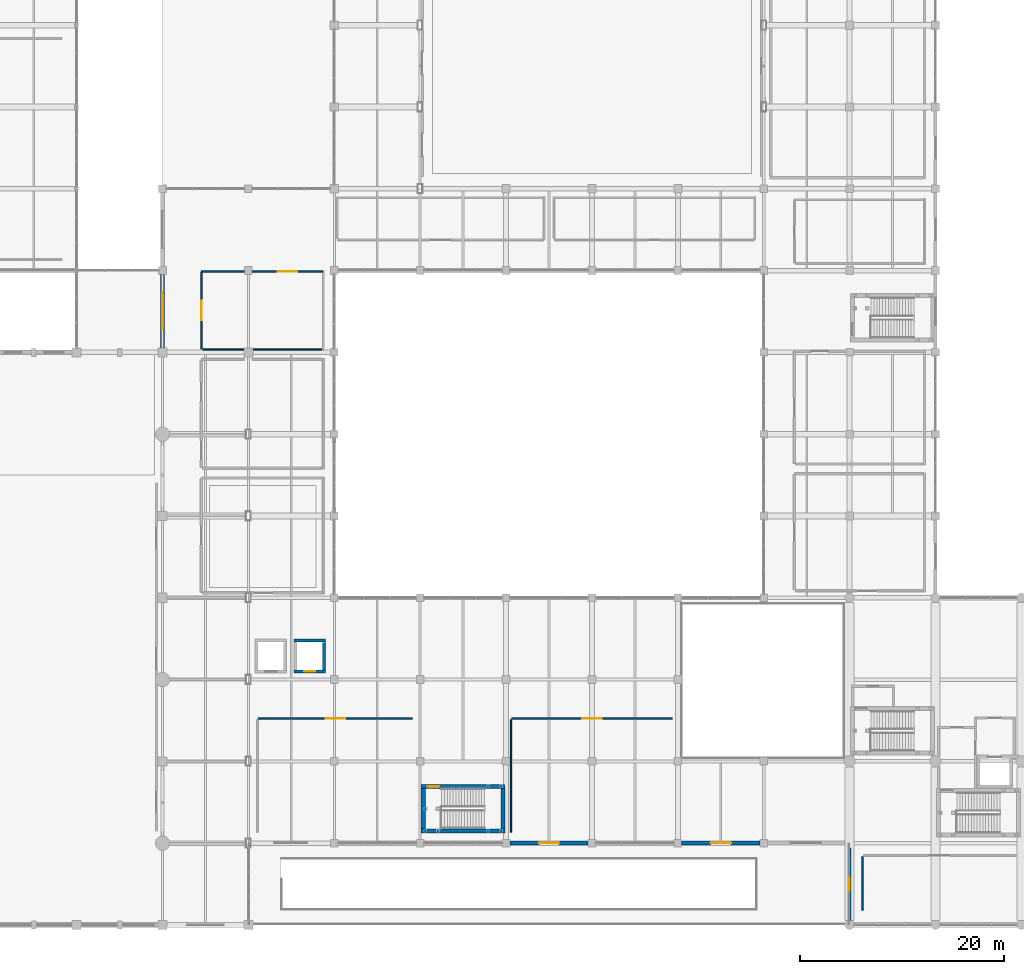
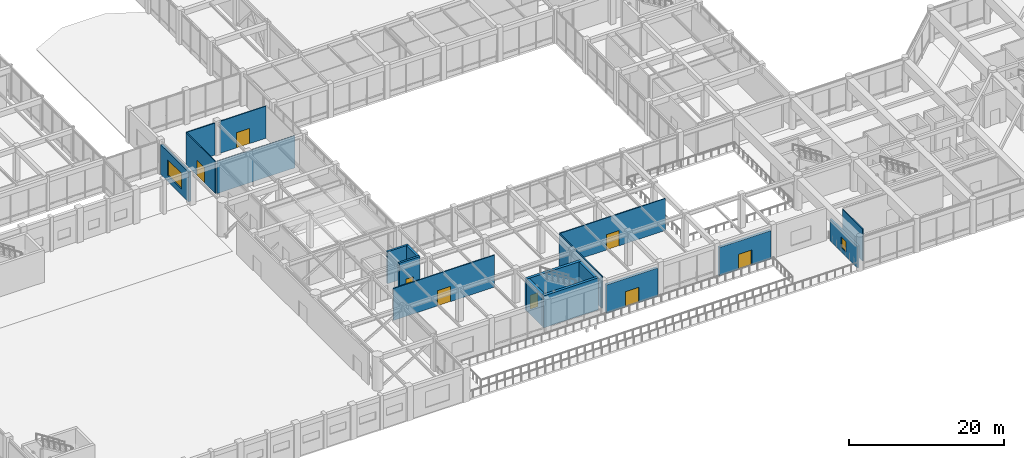
# One storey, part 58 of 79: 19 walls, 8 doors, 2 windows, 10 openings.
"""IFC4 building model written with IfcOpenShell, lengths in metres."""

from ifc_helpers import new_model, si_unit, direction, frame, frame_2d, origin, place, context, subcontext, project, spatial, rectangle, extrude, material, layer, layer_set, type_object, element, fill, save


model = new_model("IFC4")

# Units and contexts
model_context = context("Model", 3, precision=1e-05, world=origin(), true_north=direction((0.0, 1.0)))
body_context = subcontext(model_context, "Body", "Model", "MODEL_VIEW")
ifc_project = project(units=[si_unit("LENGTHUNIT", "METRE"), si_unit("AREAUNIT", "SQUARE_METRE"), si_unit("VOLUMEUNIT", "CUBIC_METRE"), si_unit("PLANEANGLEUNIT", "RADIAN"), si_unit("MASSUNIT", "GRAM", prefix="KILO")], contexts=[model_context])

# Site, building, storey
site_placement = place(None, origin())
site = spatial("IfcSite", under=ifc_project, at=site_placement, CompositionType="ELEMENT")
building_placement = place(site_placement, origin())
building = spatial("IfcBuilding", under=site, at=building_placement, Name="Naruveol Harbour Congress Hotel", CompositionType="ELEMENT")
storey_placement = place(building_placement, frame((0.0, 0.0, 6.0)))
storey = spatial("IfcBuildingStorey", under=building, at=storey_placement, Name="L01", CompositionType="ELEMENT", Elevation=6.0)

# Wall, opening, door
ifc_material_1 = material(Name="Acoustic Double Stud Gypsum", Category="gypsum")
ifc_layer_1 = layer(ifc_material_1, 0.139892578125)
ifc_layer_set_1 = layer_set([ifc_layer_1], Name="Acoustic Double Stud Gypsum")
wall_type_1 = type_object("IfcWallType", Name="ACOUSTIC MEETING PARTITION WALL 140", PredefinedType="PARTITIONING", material=ifc_layer_set_1)
wall_1_placement = place(storey_placement, frame((59.760009765625, 20.199951171875, 0.0), z_axis=(0.0, 0.0, 1.0), x_axis=(1.0, 0.0, 0.0)))
wall_1 = element("IfcWall", 1, at=wall_1_placement, inside=storey, type_object=wall_type_1, Name="Atrium Dining Restaurant north entry wall PW-140", PredefinedType="PARTITIONING", context=body_context, shape_type="SweptSolid", body=[
    extrude(rectangle(XDim=15.080078125, YDim=0.139892578125, at=frame_2d((7.5400390625, 0.0))), origin(), (0.0, 0.0, 1.0), 5.044921875),
])
opening_1_placement = place(wall_1_placement, frame((6.590087890625, 0.0, 0.0)))
opening_1 = element("IfcOpeningElement", 2, at=opening_1_placement, cuts=wall_1, Name="Opening ID-LG-42", PredefinedType="OPENING", context=body_context, shape_type="SweptSolid", body=[
    extrude(rectangle(XDim=1.89990234375, YDim=2.39990234375, at=frame_2d((0.949951171875, 1.199951171875))), frame((0.0, 0.079833984375, 0.0), z_axis=(0.0, -1.0, 0.0), x_axis=(1.0, 0.0, 0.0)), (0.0, 0.0, 1.0), 0.159912109375),
])
ifc_material_2 = material(Name="Timber & Steel Acoustic Leaf", Category="steel")
door_type_1 = type_object("IfcDoorType", Name="RESTAURANT AND LOUNGE GLAZED DOOR 1900X2400", OperationType="DOUBLE_DOOR_SINGLE_SWING", PredefinedType="DOOR", material=ifc_material_2)
door_1_placement = place(opening_1_placement, origin())
door_1 = element("IfcDoor", 3, at=door_1_placement, inside=storey, type_object=door_type_1, Name="Atrium Dining Restaurant Entrance Door", OperationType="DOUBLE_DOOR_SINGLE_SWING", OverallHeight=2.39990234375, OverallWidth=1.89990234375, PredefinedType="DOOR", context=body_context, shape_type="SweptSolid", body=[
    extrude(rectangle(XDim=1.89990234375, YDim=2.39990234375, at=frame_2d((0.949951171875, 1.199951171875))), frame((0.0, 0.02490234375, 0.0), z_axis=(0.0, -1.0, 0.0), x_axis=(1.0, 0.0, 0.0)), (0.0, 0.0, 1.0), 0.050048828125),
])
fill(opening_1, door_1)

wall_2_placement = place(storey_placement, frame((84.56005859375, 20.199951171875, 0.0), z_axis=(0.0, 0.0, 1.0), x_axis=(1.0, 0.0, 0.0)))
wall_2 = element("IfcWall", 4, at=wall_2_placement, inside=storey, type_object=wall_type_1, Name="Harbour Terrace Bistro north entry wall PW-140", PredefinedType="PARTITIONING", context=body_context, shape_type="SweptSolid", body=[
    extrude(rectangle(XDim=15.679931640625, YDim=0.139892578125, at=frame_2d((7.83984375, 0.0))), origin(), (0.0, 0.0, 1.0), 5.044921875),
])
opening_2_placement = place(wall_2_placement, frame((6.889892578125, 0.0, 0.0)))
opening_2 = element("IfcOpeningElement", 5, at=opening_2_placement, cuts=wall_2, Name="Opening ID-LG-43", PredefinedType="OPENING", context=body_context, shape_type="SweptSolid", body=[
    extrude(rectangle(XDim=1.89990234375, YDim=2.39990234375, at=frame_2d((0.949951171875, 1.199951171875))), frame((0.0, 0.079833984375, 0.0), z_axis=(0.0, -1.0, 0.0), x_axis=(1.0, 0.0, 0.0)), (0.0, 0.0, 1.0), 0.159912109375),
])
door_2_placement = place(opening_2_placement, origin())
door_2 = element("IfcDoor", 6, at=door_2_placement, inside=storey, type_object=door_type_1, Name="Harbour Terrace Bistro Entrance Door", OperationType="DOUBLE_DOOR_SINGLE_SWING", OverallHeight=2.39990234375, OverallWidth=1.89990234375, PredefinedType="DOOR", context=body_context, shape_type="SweptSolid", body=[
    extrude(rectangle(XDim=1.89990234375, YDim=2.39990234375, at=frame_2d((0.949951171875, 1.199951171875))), frame((0.0, 0.02490234375, 0.0), z_axis=(0.0, -1.0, 0.0), x_axis=(1.0, 0.0, 0.0)), (0.0, 0.0, 1.0), 0.050048828125),
])
fill(opening_2, door_2)

# Wall
wall_3_placement = place(storey_placement, frame((84.47998046875, 9.050048828125, 0.0), z_axis=(0.0, 0.0, 1.0), x_axis=(0.0, 1.0, 0.0)))
element("IfcWall", 7, at=wall_3_placement, inside=storey, type_object=wall_type_1, Name="Harbour Terrace Bistro west partition PW-140", PredefinedType="PARTITIONING", context=body_context, shape_type="SweptSolid", body=[
    extrude(rectangle(XDim=11.010009765625, YDim=0.139892578125, at=frame_2d((5.5048828125, 0.0))), origin(), (0.0, 0.0, 1.0), 5.044921875),
])

# Wall, opening, door
wall_4_placement = place(storey_placement, frame((54.199951171875, 56.360107421875, 0.0), z_axis=(0.0, 0.0, 1.0), x_axis=(0.0, 1.0, 0.0)))
wall_4 = element("IfcWall", 8, at=wall_4_placement, inside=storey, type_object=wall_type_1, Name="Breakout Salon 103 west entry wall PW-140", PredefinedType="PARTITIONING", context=body_context, shape_type="SweptSolid", body=[
    extrude(rectangle(XDim=7.47998046875, YDim=0.139892578125, at=frame_2d((3.739990234375, 0.0))), origin(), (0.0, 0.0, 1.0), 5.044921875),
])
opening_3_placement = place(wall_4_placement, frame((2.7900390625, 0.0, 0.0)))
opening_3 = element("IfcOpeningElement", 9, at=opening_3_placement, cuts=wall_4, Name="Opening ID-LG-46", PredefinedType="OPENING", context=body_context, shape_type="SweptSolid", body=[
    extrude(rectangle(XDim=1.89990234375, YDim=2.39990234375, at=frame_2d((0.949951171875, 1.199951171875))), frame((0.0, 0.079833984375, 0.0), z_axis=(0.0, -1.0, 0.0), x_axis=(1.0, 0.0, 0.0)), (0.0, 0.0, 1.0), 0.159912109375),
])
door_3_placement = place(opening_3_placement, origin())
door_3 = element("IfcDoor", 10, at=door_3_placement, inside=storey, type_object=door_type_1, Name="Breakout Salon 103 Entrance Door", OperationType="DOUBLE_DOOR_SINGLE_SWING", OverallHeight=2.39990234375, OverallWidth=1.89990234375, PredefinedType="DOOR", context=body_context, shape_type="SweptSolid", body=[
    extrude(rectangle(XDim=1.89990234375, YDim=2.39990234375, at=frame_2d((0.949951171875, 1.199951171875))), frame((0.0, 0.02490234375, 0.0), z_axis=(0.0, -1.0, 0.0), x_axis=(1.0, 0.0, 0.0)), (0.0, 0.0, 1.0), 0.050048828125),
])
fill(opening_3, door_3)

# Walls
wall_5_placement = place(storey_placement, frame((54.340087890625, 56.280029296875, 0.0), z_axis=(0.0, 0.0, 1.0), x_axis=(1.0, 0.0, 0.0)))
element("IfcWall", 11, at=wall_5_placement, inside=storey, type_object=wall_type_1, Name="Breakout Salon 103 south partition PW-140", PredefinedType="PARTITIONING", context=body_context, shape_type="SweptSolid", body=[
    extrude(rectangle(XDim=11.60986328125, YDim=0.139892578125, at=frame_2d((5.804931640625, 0.0))), origin(), (0.0, 0.0, 1.0), 5.044921875),
])
wall_6_placement = place(storey_placement, frame((118.8798828125, 1.449951171875, 0.0), z_axis=(0.0, 0.0, 1.0), x_axis=(0.0, 1.0, 0.0)))
element("IfcWall", 12, at=wall_6_placement, inside=storey, type_object=wall_type_1, Name="All-Day Harbour Dining Room west partition PW-140", PredefinedType="PARTITIONING", context=body_context, shape_type="SweptSolid", body=[
    extrude(rectangle(XDim=5.2099609375, YDim=0.139892578125, at=frame_2d((2.60498046875, 0.0))), origin(), (0.0, 0.0, 1.0), 5.044921875),
])
wall_7_placement = place(storey_placement, frame((54.2119140625, 63.919921875, 0.0), z_axis=(0.0, 0.0, 1.0), x_axis=(1.0, 0.0, 0.0)))
element("IfcWall", 13, at=wall_7_placement, inside=storey, type_object=wall_type_1, Name="Breakout Salon 103 north enclosure partition PW-140", PredefinedType="PARTITIONING", context=body_context, shape_type="SweptSolid", body=[
    extrude(rectangle(XDim=4.213134765625, YDim=0.139892578125, at=frame_2d((2.1064453125, 0.0))), origin(), (0.0, 0.0, 1.0), 5.044921875),
])

# Wall, opening, door
wall_8_placement = place(storey_placement, frame((59.175048828125, 63.919921875, 0.0), z_axis=(0.0, 0.0, 1.0), x_axis=(1.0, 0.0, 0.0)))
wall_8 = element("IfcWall", 14, at=wall_8_placement, inside=storey, type_object=wall_type_1, Name="Breakout Salon 103 north enclosure partition PW-140", PredefinedType="PARTITIONING", context=body_context, shape_type="SweptSolid", body=[
    extrude(rectangle(XDim=6.875, YDim=0.139892578125, at=frame_2d((3.4375, 0.0))), origin(), (0.0, 0.0, 1.0), 5.044921875),
])
opening_4_placement = place(wall_8_placement, frame((2.5, 0.0, 0.0)))
opening_4 = element("IfcOpeningElement", 15, at=opening_4_placement, cuts=wall_8, Name="Opening ID-LG-46B", PredefinedType="OPENING", context=body_context, shape_type="SweptSolid", body=[
    extrude(rectangle(XDim=1.89990234375, YDim=2.39990234375, at=frame_2d((0.949951171875, 1.199951171875))), frame((0.0, 0.079833984375, 0.0), z_axis=(0.0, -1.0, 0.0), x_axis=(1.0, 0.0, 0.0)), (0.0, 0.0, 1.0), 0.159912109375),
])
door_4_placement = place(opening_4_placement, origin())
door_4 = element("IfcDoor", 16, at=door_4_placement, inside=storey, type_object=door_type_1, Name="Breakout Salon 103 Second Exit Door", OperationType="DOUBLE_DOOR_SINGLE_SWING", OverallHeight=2.39990234375, OverallWidth=1.89990234375, PredefinedType="DOOR", context=body_context, shape_type="SweptSolid", body=[
    extrude(rectangle(XDim=1.89990234375, YDim=2.39990234375, at=frame_2d((0.949951171875, 1.199951171875))), frame((0.0, 0.02490234375, 0.0), z_axis=(0.0, -1.0, 0.0), x_axis=(1.0, 0.0, 0.0)), (0.0, 0.0, 1.0), 0.050048828125),
])
fill(opening_4, door_4)

# Wall, opening, window
ifc_material_3 = material(Name="Precast concrete C40/50", Category="concrete")
ifc_layer_2 = layer(ifc_material_3, 0.280029296875)
ifc_layer_set_2 = layer_set([ifc_layer_2], Name="Precast concrete C40/50")
wall_type_2 = type_object("IfcWallType", Name="ARCHITECTURAL PRECAST FACADE WALL 280", PredefinedType="SOLIDWALL", material=ifc_layer_set_2)
wall_9_placement = place(storey_placement, frame((117.60009765625, 0.449951171875, 0.0), z_axis=(0.0, 0.0, 1.0), x_axis=(0.0, 1.0, 0.0)))
wall_9 = element("IfcWall", 17, at=wall_9_placement, inside=storey, type_object=wall_type_2, Name="Hotel west gable wall L01 EW-280", PredefinedType="SOLIDWALL", context=body_context, shape_type="SweptSolid", body=[
    extrude(rectangle(XDim=7.070068359375, YDim=0.280029296875, at=frame_2d((3.53515625, 0.0))), origin(), (0.0, 0.0, 1.0), 3.449951171875),
])
opening_5_placement = place(wall_9_placement, frame((2.885009765625, 0.0, 0.75)))
opening_5 = element("IfcOpeningElement", 18, at=opening_5_placement, cuts=wall_9, Name="Opening W-27", PredefinedType="OPENING", context=body_context, shape_type="SweptSolid", body=[
    extrude(rectangle(XDim=1.300048828125, YDim=1.64990234375, at=frame_2d((0.64990234375, 0.824951171875))), frame((0.0, 0.14990234375, 0.0), z_axis=(0.0, -1.0, 0.0), x_axis=(1.0, 0.0, 0.0)), (0.0, 0.0, 1.0), 0.300048828125),
])
ifc_material_4 = material(Name="Low-E Triple Glazing in Thermal Aluminium", Category="aluminium")
window_type_1 = type_object("IfcWindowType", Name="READING SALON TALL WINDOW 1300X1650", PartitioningType="SINGLE_PANEL", PredefinedType="WINDOW", material=ifc_material_4)
window_1_placement = place(opening_5_placement, origin())
window_1 = element("IfcWindow", 19, at=window_1_placement, inside=storey, type_object=window_type_1, Name="Window W-27 #183", OverallHeight=1.64990234375, OverallWidth=1.300048828125, PartitioningType="SINGLE_PANEL", PredefinedType="WINDOW", context=body_context, shape_type="SweptSolid", body=[
    extrude(rectangle(XDim=1.300048828125, YDim=1.64990234375, at=frame_2d((0.64990234375, 0.824951171875))), frame((0.0, 0.030029296875, 0.0), z_axis=(0.0, -1.0, 0.0), x_axis=(1.0, 0.0, 0.0)), (0.0, 0.0, 1.0), 0.06005859375),
])
fill(opening_5, window_1)

# Wall, opening, door
ifc_material_5 = material(Name="Concrete C40/50", Category="concrete")
ifc_layer_3 = layer(ifc_material_5, 0.3798828125)
ifc_layer_set_3 = layer_set([ifc_layer_3], Name="Concrete C40/50")
wall_type_3 = type_object("IfcWallType", Name="INSULATED GRANITE FACADE WALL 380", PredefinedType="SOLIDWALL", material=ifc_layer_set_3)
wall_10_placement = place(storey_placement, frame((108.824951171875, 8.0, 0.0), z_axis=(0.0, 0.0, 1.0), x_axis=(-1.0, 0.0, 0.0)))
wall_10 = element("IfcWall", 20, at=wall_10_placement, inside=storey, type_object=wall_type_3, Name="Courtyard wing south facade EW-380", PredefinedType="SOLIDWALL", context=body_context, shape_type="SweptSolid", body=[
    extrude(rectangle(XDim=7.64990234375, YDim=0.3798828125, at=frame_2d((3.824951171875, 0.0))), origin(), (0.0, 0.0, 1.0), 4.449951171875),
])
opening_6_placement = place(wall_10_placement, frame((2.824951171875, 0.0, 0.0)))
opening_6 = element("IfcOpeningElement", 21, at=opening_6_placement, cuts=wall_10, Name="Opening ED-DK2", PredefinedType="OPENING", context=body_context, shape_type="SweptSolid", body=[
    extrude(rectangle(XDim=2.0, YDim=2.39990234375, at=frame_2d((1.0, 1.199951171875))), frame((0.0, 0.199951171875, 0.0), z_axis=(0.0, -1.0, 0.0), x_axis=(1.0, 0.0, 0.0)), (0.0, 0.0, 1.0), 0.39990234375),
])
ifc_material_6 = material(Name="Powder-Coated Steel & Insulated Glazing", Category="steel")
door_type_2 = type_object("IfcDoorType", Name="PROMENADE DECK DOUBLE DOOR 2000X2400", OperationType="DOUBLE_DOOR_SINGLE_SWING", PredefinedType="DOOR", material=ifc_material_6)
door_5_placement = place(opening_6_placement, origin())
door_5 = element("IfcDoor", 22, at=door_5_placement, inside=storey, type_object=door_type_2, Name="East Promenade Terrace Door ED-DK2", OperationType="DOUBLE_DOOR_SINGLE_SWING", OverallHeight=2.39990234375, OverallWidth=2.0, PredefinedType="DOOR", context=body_context, shape_type="SweptSolid", body=[
    extrude(rectangle(XDim=2.0, YDim=2.39990234375, at=frame_2d((1.0, 1.199951171875))), frame((0.0, 0.02490234375, 0.0), z_axis=(0.0, -1.0, 0.0), x_axis=(1.0, 0.0, 0.0)), (0.0, 0.0, 1.0), 0.050048828125),
])
fill(opening_6, door_5)

wall_11_placement = place(storey_placement, frame((92.02490234375, 8.0, 0.0), z_axis=(0.0, 0.0, 1.0), x_axis=(-1.0, 0.0, 0.0)))
wall_11 = element("IfcWall", 23, at=wall_11_placement, inside=storey, type_object=wall_type_3, Name="Promenade deck portal wall EW-380", PredefinedType="SOLIDWALL", context=body_context, shape_type="SweptSolid", body=[
    extrude(rectangle(XDim=7.64990234375, YDim=0.3798828125, at=frame_2d((3.824951171875, 0.0))), origin(), (0.0, 0.0, 1.0), 4.449951171875),
])
opening_7_placement = place(wall_11_placement, frame((2.824951171875, 0.0, 0.0)))
opening_7 = element("IfcOpeningElement", 24, at=opening_7_placement, cuts=wall_11, Name="Opening ED-DK1", PredefinedType="OPENING", context=body_context, shape_type="SweptSolid", body=[
    extrude(rectangle(XDim=2.0, YDim=2.39990234375, at=frame_2d((1.0, 1.199951171875))), frame((0.0, 0.199951171875, 0.0), z_axis=(0.0, -1.0, 0.0), x_axis=(1.0, 0.0, 0.0)), (0.0, 0.0, 1.0), 0.39990234375),
])
door_6_placement = place(opening_7_placement, origin())
door_6 = element("IfcDoor", 25, at=door_6_placement, inside=storey, type_object=door_type_2, Name="Promenade Deck Access Door ED-DK1", OperationType="DOUBLE_DOOR_SINGLE_SWING", OverallHeight=2.39990234375, OverallWidth=2.0, PredefinedType="DOOR", context=body_context, shape_type="SweptSolid", body=[
    extrude(rectangle(XDim=2.0, YDim=2.39990234375, at=frame_2d((1.0, 1.199951171875))), frame((0.0, 0.02490234375, 0.0), z_axis=(0.0, -1.0, 0.0), x_axis=(1.0, 0.0, 0.0)), (0.0, 0.0, 1.0), 0.050048828125),
])
fill(opening_7, door_6)

# Wall, opening, window
wall_12_placement = place(storey_placement, frame((50.39990234375, 56.449951171875, 0.0), z_axis=(0.0, 0.0, 1.0), x_axis=(0.0, 1.0, 0.0)))
wall_12 = element("IfcWall", 26, at=wall_12_placement, inside=storey, type_object=wall_type_3, Name="Main arrival forecourt south bay EW-380", PredefinedType="SOLIDWALL", context=body_context, shape_type="SweptSolid", body=[
    extrude(rectangle(XDim=7.175048828125, YDim=0.3798828125, at=frame_2d((3.58740234375, 0.0))), origin(), (0.0, 0.0, 1.0), 4.669921875),
])
opening_8_placement = place(wall_12_placement, frame((1.787109375, 0.0, 0.89990234375)))
opening_8 = element("IfcOpeningElement", 27, at=opening_8_placement, cuts=wall_12, Name="Opening W-12", PredefinedType="OPENING", context=body_context, shape_type="SweptSolid", body=[
    extrude(rectangle(XDim=3.60009765625, YDim=2.5, at=frame_2d((1.800048828125, 1.25))), frame((0.0, 0.199951171875, 0.0), z_axis=(0.0, -1.0, 0.0), x_axis=(1.0, 0.0, 0.0)), (0.0, 0.0, 1.0), 0.39990234375),
])
ifc_material_7 = material(Name="Low-E Triple Glazing in Thermal Aluminium", Category="aluminium")
window_type_2 = type_object("IfcWindowType", Name="CONCOURSE PICTURE WINDOW 3600X2500", PartitioningType="DOUBLE_PANEL_VERTICAL", PredefinedType="WINDOW", material=ifc_material_7)
window_2_placement = place(opening_8_placement, origin())
window_2 = element("IfcWindow", 28, at=window_2_placement, inside=storey, type_object=window_type_2, Name="Window W-12 #144", OverallHeight=2.5, OverallWidth=3.60009765625, PartitioningType="DOUBLE_PANEL_VERTICAL", PredefinedType="WINDOW", context=body_context, shape_type="SweptSolid", body=[
    extrude(rectangle(XDim=3.60009765625, YDim=2.5, at=frame_2d((1.800048828125, 1.25))), frame((0.0, 0.030029296875, 0.0), z_axis=(0.0, -1.0, 0.0), x_axis=(1.0, 0.0, 0.0)), (0.0, 0.0, 1.0), 0.06005859375),
])
fill(opening_8, window_2)

# Walls
ifc_material_8 = material(Name="Concrete C50/60", Category="concrete")
ifc_layer_4 = layer(ifc_material_8, 0.39990234375)
ifc_layer_set_4 = layer_set([ifc_layer_4], Name="Concrete C50/60")
wall_type_4 = type_object("IfcWallType", Name="RC CORE SHEAR WALL 400 EI120", PredefinedType="SHEAR", material=ifc_layer_set_4)
wall_13_placement = place(storey_placement, frame((75.699951171875, 9.199951171875, 0.0), z_axis=(0.0, 0.0, 1.0), x_axis=(1.0, 0.0, 0.0)))
element("IfcWall", 29, at=wall_13_placement, inside=storey, type_object=wall_type_4, Name="Stair ST10 south core wall CW-400", PredefinedType="SHEAR", context=body_context, shape_type="SweptSolid", body=[
    extrude(rectangle(XDim=8.199951171875, YDim=0.39990234375, at=frame_2d((4.10009765625, 0.0))), origin(), (0.0, 0.0, 1.0), 5.044921875),
])
wall_14_placement = place(storey_placement, frame((83.699951171875, 9.405029296875, 0.0), z_axis=(0.0, 0.0, 1.0), x_axis=(0.0, 1.0, 0.0)))
element("IfcWall", 30, at=wall_14_placement, inside=storey, type_object=wall_type_4, Name="Stair ST10 east core wall CW-400", PredefinedType="SHEAR", context=body_context, shape_type="SweptSolid", body=[
    extrude(rectangle(XDim=3.949951171875, YDim=0.39990234375, at=frame_2d((1.97509765625, 0.0))), origin(), (0.0, 0.0, 1.0), 5.044921875),
])

# Wall, opening, door
wall_15_placement = place(storey_placement, frame((75.699951171875, 13.56005859375, 0.0), z_axis=(0.0, 0.0, 1.0), x_axis=(1.0, 0.0, 0.0)))
wall_15 = element("IfcWall", 31, at=wall_15_placement, inside=storey, type_object=wall_type_4, Name="Stair ST10 north core wall CW-400", PredefinedType="SHEAR", context=body_context, shape_type="SweptSolid", body=[
    extrude(rectangle(XDim=8.199951171875, YDim=0.39990234375, at=frame_2d((4.10009765625, 0.0))), origin(), (0.0, 0.0, 1.0), 5.044921875),
])
opening_9_placement = place(wall_15_placement, frame((0.6201171875, 0.0, 0.0)))
opening_9 = element("IfcOpeningElement", 32, at=opening_9_placement, cuts=wall_15, Name="Opening FD-ST10-L01", PredefinedType="OPENING", context=body_context, shape_type="SweptSolid", body=[
    extrude(rectangle(XDim=1.159912109375, YDim=2.199951171875, at=frame_2d((0.580078125, 1.10009765625))), frame((0.0, 0.2099609375, 0.0), z_axis=(0.0, -1.0, 0.0), x_axis=(1.0, 0.0, 0.0)), (0.0, 0.0, 1.0), 0.419921875),
])
ifc_material_9 = material(Name="Timber & Steel Acoustic Leaf", Category="steel")
door_type_3 = type_object("IfcDoorType", Name="SPECIAL ESCAPE STAIR FIRE DOOR 1160X2200", OperationType="NOTDEFINED", PredefinedType="DOOR", material=ifc_material_9)
door_7_placement = place(opening_9_placement, origin())
door_7 = element("IfcDoor", 33, at=door_7_placement, inside=storey, type_object=door_type_3, Name="Enclosed Exit Stair Door ST10 L01", OperationType="SINGLE_SWING_RIGHT", OverallHeight=2.199951171875, OverallWidth=1.159912109375, PredefinedType="DOOR", context=body_context, shape_type="SweptSolid", body=[
    extrude(rectangle(XDim=1.159912109375, YDim=2.199951171875, at=frame_2d((0.580078125, 1.10009765625))), frame((0.0, 0.02490234375, 0.0), z_axis=(0.0, -1.0, 0.0), x_axis=(1.0, 0.0, 0.0)), (0.0, 0.0, 1.0), 0.050048828125),
])
fill(opening_9, door_7)

# Wall
wall_16_placement = place(storey_placement, frame((75.89990234375, 9.405029296875, 0.0), z_axis=(0.0, 0.0, 1.0), x_axis=(0.0, 1.0, 0.0)))
element("IfcWall", 34, at=wall_16_placement, inside=storey, type_object=wall_type_4, Name="Stair ST10 west core wall CW-400", PredefinedType="SHEAR", context=body_context, shape_type="SweptSolid", body=[
    extrude(rectangle(XDim=3.949951171875, YDim=0.39990234375, at=frame_2d((1.97509765625, 0.0))), origin(), (0.0, 0.0, 1.0), 5.044921875),
])

# Wall, opening, door
ifc_material_10 = material(Name="Concrete C50/60", Category="concrete")
ifc_layer_5 = layer(ifc_material_10, 0.300048828125)
ifc_layer_set_5 = layer_set([ifc_layer_5], Name="Concrete C50/60")
wall_type_5 = type_object("IfcWallType", Name="RC STAIR AND HOISTWAY SHEAR WALL 300 EI120", PredefinedType="SHEAR", material=ifc_layer_set_5)
wall_17_placement = place(storey_placement, frame((63.25, 24.800048828125, 0.0), z_axis=(0.0, 0.0, 1.0), x_axis=(1.0, 0.0, 0.0)))
wall_17 = element("IfcWall", 35, at=wall_17_placement, inside=storey, type_object=wall_type_5, Name="Hoistway south shear wall CL2 SW-300", PredefinedType="SHEAR", context=body_context, shape_type="SweptSolid", body=[
    extrude(rectangle(XDim=3.10009765625, YDim=0.300048828125, at=frame_2d((1.550048828125, 0.0))), origin(), (0.0, 0.0, 1.0), 5.044921875),
])
opening_10_placement = place(wall_17_placement, frame((1.0, 0.0, 0.0)))
opening_10 = element("IfcOpeningElement", 36, at=opening_10_placement, cuts=wall_17, Name="Opening LD-CL2-L01", PredefinedType="OPENING", context=body_context, shape_type="SweptSolid", body=[
    extrude(rectangle(XDim=1.10009765625, YDim=2.199951171875, at=frame_2d((0.550048828125, 1.10009765625))), frame((0.0, 0.159912109375, 0.0), z_axis=(0.0, -1.0, 0.0), x_axis=(1.0, 0.0, 0.0)), (0.0, 0.0, 1.0), 0.320068359375),
])
ifc_material_11 = material(Name="Stainless Steel Lift Door", Category="steel")
door_type_4 = type_object("IfcDoorType", Name="PASSENGER LIFT LANDING DOOR 1100X2200", OperationType="DOUBLE_DOOR_SLIDING", PredefinedType="DOOR", material=ifc_material_11)
door_8_placement = place(opening_10_placement, origin())
door_8 = element("IfcDoor", 37, at=door_8_placement, inside=storey, type_object=door_type_4, Name="Elevator Landing Door CL2 L01", OperationType="DOUBLE_DOOR_SLIDING", OverallHeight=2.199951171875, OverallWidth=1.10009765625, PredefinedType="DOOR", context=body_context, shape_type="SweptSolid", body=[
    extrude(rectangle(XDim=1.10009765625, YDim=2.199951171875, at=frame_2d((0.550048828125, 1.10009765625))), frame((0.0, 0.02490234375, 0.0), z_axis=(0.0, -1.0, 0.0), x_axis=(1.0, 0.0, 0.0)), (0.0, 0.0, 1.0), 0.050048828125),
])
fill(opening_10, door_8)

# Walls
wall_18_placement = place(storey_placement, frame((66.199951171875, 24.955078125, 0.0), z_axis=(0.0, 0.0, 1.0), x_axis=(0.0, 1.0, 0.0)))
element("IfcWall", 38, at=wall_18_placement, inside=storey, type_object=wall_type_5, Name="Hoistway east shear wall CL2 SW-300", PredefinedType="SHEAR", context=body_context, shape_type="SweptSolid", body=[
    extrude(rectangle(XDim=2.68994140625, YDim=0.300048828125, at=frame_2d((1.344970703125, 0.0))), origin(), (0.0, 0.0, 1.0), 5.044921875),
])
wall_19_placement = place(storey_placement, frame((66.35009765625, 27.800048828125, 0.0), z_axis=(0.0, 0.0, 1.0), x_axis=(-1.0, 0.0, 0.0)))
element("IfcWall", 39, at=wall_19_placement, inside=storey, type_object=wall_type_5, Name="Hoistway north shear wall CL2 SW-300", PredefinedType="SHEAR", context=body_context, shape_type="SweptSolid", body=[
    extrude(rectangle(XDim=3.10009765625, YDim=0.300048828125, at=frame_2d((1.550048828125, 0.0))), origin(), (0.0, 0.0, 1.0), 5.044921875),
])

save(model, "model.ifc")
